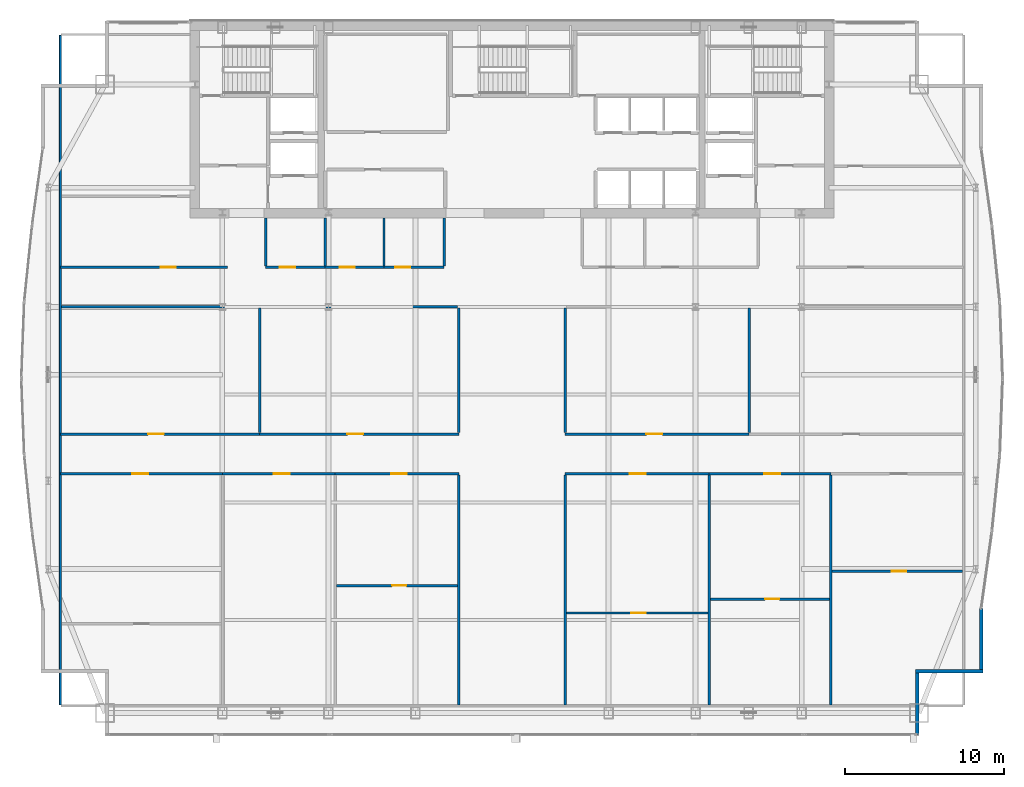
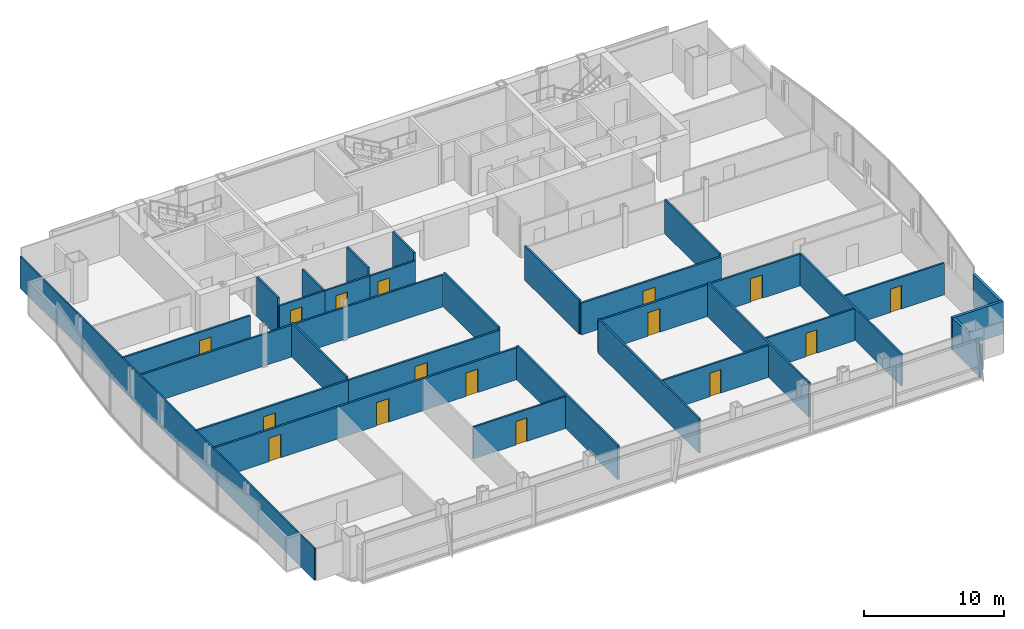
# One storey, part 27 of 32: 33 walls, 16 doors, 16 openings.
"""IFC4 building model written with IfcOpenShell, lengths in metres."""

from ifc_helpers import new_model, si_unit, direction, frame, frame_2d, origin, place, context, subcontext, project, spatial, rectangle, extrude, material, layer, layer_set, type_object, element, fill, save


model = new_model("IFC4")

# Units and contexts
model_context = context("Model", 3, precision=1e-05, world=origin(), true_north=direction((0.0, 1.0)))
body_context = subcontext(model_context, "Body", "Model", "MODEL_VIEW")
ifc_project = project(units=[si_unit("LENGTHUNIT", "METRE"), si_unit("AREAUNIT", "SQUARE_METRE"), si_unit("VOLUMEUNIT", "CUBIC_METRE"), si_unit("PLANEANGLEUNIT", "RADIAN"), si_unit("MASSUNIT", "GRAM", prefix="KILO")], contexts=[model_context])

# Site, building, storey
site_placement = place(None, origin())
site = spatial("IfcSite", under=ifc_project, at=site_placement, CompositionType="ELEMENT")
building_placement = place(site_placement, origin())
building = spatial("IfcBuilding", under=site, at=building_placement, Name="Khoronbel Lancet Exchange", CompositionType="ELEMENT")
storey_placement = place(building_placement, frame((0.0, 0.0, 228.199951171875)))
storey = spatial("IfcBuildingStorey", under=building, at=storey_placement, Name="L58", CompositionType="ELEMENT", Elevation=228.199951171875)

# Walls
ifc_material_1 = material(Name="Precast concrete C40/50", Category="concrete")
ifc_layer_1 = layer(ifc_material_1, 0.25, Name="Precast concrete C40/50")
ifc_layer_set_1 = layer_set([ifc_layer_1], Name="Precast concrete C40/50")
wall_type_1 = type_object("IfcWallType", Name="WL-EXT250", PredefinedType="SOLIDWALL", material=ifc_layer_set_1)
wall_1_placement = place(storey_placement, frame((65.9599609375, 16.726318359375, 0.0), z_axis=(0.0, 0.0, 1.0), x_axis=(0.0, -1.0, 0.0)))
element("IfcWall", 1, at=wall_1_placement, inside=storey, type_object=wall_type_1, Name="Level L58 notched-corner limestone pier 23", PredefinedType="SOLIDWALL", context=body_context, shape_type="SweptSolid", body=[
    extrude(rectangle(XDim=3.826416015625, YDim=0.219970703125, at=frame_2d((1.9130859375, 0.0))), origin(), (0.0, 0.0, 1.0), 2.830078125),
])
wall_2_placement = place(storey_placement, frame((66.070068359375, 12.7900390625, 0.0), z_axis=(0.0, 0.0, 1.0), x_axis=(-1.0, 0.0, 0.0)))
element("IfcWall", 2, at=wall_2_placement, inside=storey, type_object=wall_type_1, Name="Level L58 notched-corner limestone pier 24", PredefinedType="SOLIDWALL", context=body_context, shape_type="SweptSolid", body=[
    extrude(rectangle(XDim=4.219970703125, YDim=0.219970703125, at=frame_2d((2.10986328125, 0.0))), origin(), (0.0, 0.0, 1.0), 2.830078125),
])
wall_3_placement = place(storey_placement, frame((61.9599609375, 12.679931640625, 0.0), z_axis=(0.0, 0.0, 1.0), x_axis=(0.0, -1.0, 0.0)))
element("IfcWall", 3, at=wall_3_placement, inside=storey, type_object=wall_type_1, Name="Level L58 notched-corner limestone pier 25", PredefinedType="SOLIDWALL", context=body_context, shape_type="SweptSolid", body=[
    extrude(rectangle(XDim=3.909912109375, YDim=0.219970703125, at=frame_2d((1.955078125, 0.0))), origin(), (0.0, 0.0, 1.0), 2.830078125),
])
ifc_material_2 = material(Name="Acoustic Metal-Stud & Mineral-Wool Gypsum Partition 120 mm", Category="gypsum")
ifc_layer_2 = layer(ifc_material_2, 0.1201171875, Name="Acoustic Metal-Stud & Mineral-Wool Gypsum Partition 120 mm")
ifc_layer_set_2 = layer_set([ifc_layer_2], Name="Acoustic Metal-Stud & Mineral-Wool Gypsum Partition 120 mm")
wall_type_2 = type_object("IfcWallType", Name="WL-PRT120", PredefinedType="PARTITIONING", material=ifc_layer_set_2)
wall_4_placement = place(storey_placement, frame((20.949951171875, 38.280029296875, 0.0), z_axis=(0.0, 0.0, 1.0), x_axis=(0.0, 1.0, 0.0)))
element("IfcWall", 4, at=wall_4_placement, inside=storey, type_object=wall_type_2, Name="Level L58 interior partition PW-WC-0", PredefinedType="PARTITIONING", context=body_context, shape_type="SweptSolid", body=[
    extrude(rectangle(XDim=3.02001953125, YDim=0.14990234375, at=frame_2d((1.510009765625, 0.0))), origin(), (0.0, 0.0, 1.0), 3.43994140625),
])
wall_5_placement = place(storey_placement, frame((24.699951171875, 38.280029296875, 0.0), z_axis=(0.0, 0.0, 1.0), x_axis=(0.0, 1.0, 0.0)))
element("IfcWall", 5, at=wall_5_placement, inside=storey, type_object=wall_type_2, Name="Level L58 interior partition PW-WC-1", PredefinedType="PARTITIONING", context=body_context, shape_type="SweptSolid", body=[
    extrude(rectangle(XDim=3.02001953125, YDim=0.14990234375, at=frame_2d((1.510009765625, 0.0))), origin(), (0.0, 0.0, 1.0), 2.780029296875),
])
for number, where, z_axis, x_axis, name in (
    (6, (28.39990234375, 38.280029296875, 0.0), (0.0, 0.0, 1.0), (0.0, 1.0, 0.0), "Level L58 interior partition PW-WC-2"),
    (7, (32.179931640625, 38.280029296875, 0.0), (0.0, 0.0, 1.0), (0.0, 1.0, 0.0), "Level L58 interior partition PW-WC-3"),
):
    element("IfcWall", number, at=place(storey_placement, frame(where, z_axis=z_axis, x_axis=x_axis)), inside=storey, type_object=wall_type_2, Name=name, PredefinedType="PARTITIONING", context=body_context, shape_type="SweptSolid", body=[
        extrude(rectangle(XDim=3.02001953125, YDim=0.14990234375, at=frame_2d((1.510009765625, 0.0))), origin(), (0.0, 0.0, 1.0), 3.43994140625),
    ])

# Wall, opening, door
wall_6_placement = place(storey_placement, frame((25.40283203125, 18.165771484375, 0.0), z_axis=(0.0, 0.0, 1.0), x_axis=(1.0, 0.0, 0.0)))
wall_6 = element("IfcWall", 8, at=wall_6_placement, inside=storey, type_object=wall_type_2, Name="Level L58 interior partition PW-Z3SW-H3", PredefinedType="PARTITIONING", context=body_context, shape_type="SweptSolid", body=[
    extrude(rectangle(XDim=7.6171875, YDim=0.14990234375, at=frame_2d((3.80859375, 0.0))), origin(), (0.0, 0.0, 1.0), 2.780029296875),
])
opening_1_placement = place(wall_6_placement, frame((3.499755859375, 0.0, 0.0)))
opening_1 = element("IfcOpeningElement", 9, at=opening_1_placement, cuts=wall_6, Name="Opening D5", PredefinedType="OPENING", context=body_context, shape_type="SweptSolid", body=[
    extrude(rectangle(XDim=0.89990234375, YDim=2.050048828125, at=frame_2d((0.449951171875, 1.02490234375))), frame((0.0, 0.0849609375, 0.0), z_axis=(0.0, -1.0, 0.0), x_axis=(1.0, 0.0, 0.0)), (0.0, 0.0, 1.0), 0.169921875),
])
ifc_material_3 = material(Name="Acoustic Timber Pantry & Support Door", Category="wood")
door_type_1 = type_object("IfcDoorType", Name="DR-D5", OperationType="NOTDEFINED", PredefinedType="DOOR", material=ifc_material_3)
door_1_placement = place(opening_1_placement, origin())
door_1 = element("IfcDoor", 10, at=door_1_placement, inside=storey, type_object=door_type_1, Name="Z3SW inner door 3 L58-1", OperationType="SINGLE_SWING_LEFT", OverallHeight=2.050048828125, OverallWidth=0.89990234375, PredefinedType="DOOR", context=body_context, shape_type="SweptSolid", body=[
    extrude(rectangle(XDim=0.89990234375, YDim=2.050048828125, at=frame_2d((0.449951171875, 1.02490234375))), frame((0.0, 0.02490234375, 0.0), z_axis=(0.0, -1.0, 0.0), x_axis=(1.0, 0.0, 0.0)), (0.0, 0.0, 1.0), 0.050048828125),
])
fill(opening_1, door_1)

wall_7_placement = place(storey_placement, frame((39.8798828125, 16.43994140625, 0.0), z_axis=(0.0, 0.0, 1.0), x_axis=(1.0, 0.0, 0.0)))
wall_7 = element("IfcWall", 11, at=wall_7_placement, inside=storey, type_object=wall_type_2, Name="Level L58 interior partition PW-Z3SE-H1", PredefinedType="PARTITIONING", context=body_context, shape_type="SweptSolid", body=[
    extrude(rectangle(XDim=8.893310546875, YDim=0.14990234375, at=frame_2d((4.44677734375, 0.0))), origin(), (0.0, 0.0, 1.0), 2.780029296875),
])
opening_2_placement = place(wall_7_placement, frame((4.073974609375, 0.0, 0.0)))
opening_2 = element("IfcOpeningElement", 12, at=opening_2_placement, cuts=wall_7, Name="Opening D5", PredefinedType="OPENING", context=body_context, shape_type="SweptSolid", body=[
    extrude(rectangle(XDim=0.89990234375, YDim=2.050048828125, at=frame_2d((0.449951171875, 1.02490234375))), frame((0.0, 0.0849609375, 0.0), z_axis=(0.0, -1.0, 0.0), x_axis=(1.0, 0.0, 0.0)), (0.0, 0.0, 1.0), 0.169921875),
])
door_2_placement = place(opening_2_placement, origin())
door_2 = element("IfcDoor", 13, at=door_2_placement, inside=storey, type_object=door_type_1, Name="Z3SE inner door 1 L58-1", OperationType="SINGLE_SWING_LEFT", OverallHeight=2.050048828125, OverallWidth=0.89990234375, PredefinedType="DOOR", context=body_context, shape_type="SweptSolid", body=[
    extrude(rectangle(XDim=0.89990234375, YDim=2.050048828125, at=frame_2d((0.449951171875, 1.02490234375))), frame((0.0, 0.02490234375, 0.0), z_axis=(0.0, -1.0, 0.0), x_axis=(1.0, 0.0, 0.0)), (0.0, 0.0, 1.0), 0.050048828125),
])
fill(opening_2, door_2)

wall_8_placement = place(storey_placement, frame((48.93310546875, 17.31591796875, 0.0), z_axis=(0.0, 0.0, 1.0), x_axis=(1.0, 0.0, 0.0)))
wall_8 = element("IfcWall", 14, at=wall_8_placement, inside=storey, type_object=wall_type_2, Name="Level L58 interior partition PW-Z3SE-H2", PredefinedType="PARTITIONING", context=body_context, shape_type="SweptSolid", body=[
    extrude(rectangle(XDim=7.500244140625, YDim=0.14990234375, at=frame_2d((3.75, 0.0))), origin(), (0.0, 0.0, 1.0), 2.780029296875),
])
opening_3_placement = place(wall_8_placement, frame((3.447021484375, 0.0, 0.0)))
opening_3 = element("IfcOpeningElement", 15, at=opening_3_placement, cuts=wall_8, Name="Opening D5", PredefinedType="OPENING", context=body_context, shape_type="SweptSolid", body=[
    extrude(rectangle(XDim=0.89990234375, YDim=2.050048828125, at=frame_2d((0.449951171875, 1.02490234375))), frame((0.0, 0.0849609375, 0.0), z_axis=(0.0, -1.0, 0.0), x_axis=(1.0, 0.0, 0.0)), (0.0, 0.0, 1.0), 0.169921875),
])
door_3_placement = place(opening_3_placement, origin())
door_3 = element("IfcDoor", 16, at=door_3_placement, inside=storey, type_object=door_type_1, Name="Z3SE inner door 2 L58-1", OperationType="SINGLE_SWING_LEFT", OverallHeight=2.050048828125, OverallWidth=0.89990234375, PredefinedType="DOOR", context=body_context, shape_type="SweptSolid", body=[
    extrude(rectangle(XDim=0.89990234375, YDim=2.050048828125, at=frame_2d((0.449951171875, 1.02490234375))), frame((0.0, 0.02490234375, 0.0), z_axis=(0.0, -1.0, 0.0), x_axis=(1.0, 0.0, 0.0)), (0.0, 0.0, 1.0), 0.050048828125),
])
fill(opening_3, door_3)

wall_9_placement = place(storey_placement, frame((56.59326171875, 19.068115234375, 0.0), z_axis=(0.0, 0.0, 1.0), x_axis=(1.0, 0.0, 0.0)))
wall_9 = element("IfcWall", 17, at=wall_9_placement, inside=storey, type_object=wall_type_2, Name="Level L58 interior partition PW-Z3SE-H3", PredefinedType="PARTITIONING", context=body_context, shape_type="SweptSolid", body=[
    extrude(rectangle(XDim=8.211669921875, YDim=0.14990234375, at=frame_2d((4.10595703125, 0.0))), origin(), (0.0, 0.0, 1.0), 2.780029296875),
])
opening_4_placement = place(wall_9_placement, frame((3.760498046875, 0.0, 0.0)))
opening_4 = element("IfcOpeningElement", 18, at=opening_4_placement, cuts=wall_9, Name="Opening D5", PredefinedType="OPENING", context=body_context, shape_type="SweptSolid", body=[
    extrude(rectangle(XDim=0.89990234375, YDim=2.050048828125, at=frame_2d((0.449951171875, 1.02490234375))), frame((0.0, 0.0849609375, 0.0), z_axis=(0.0, -1.0, 0.0), x_axis=(1.0, 0.0, 0.0)), (0.0, 0.0, 1.0), 0.169921875),
])
door_4_placement = place(opening_4_placement, origin())
door_4 = element("IfcDoor", 19, at=door_4_placement, inside=storey, type_object=door_type_1, Name="Z3SE inner door 3 L58-1", OperationType="SINGLE_SWING_LEFT", OverallHeight=2.050048828125, OverallWidth=0.89990234375, PredefinedType="DOOR", context=body_context, shape_type="SweptSolid", body=[
    extrude(rectangle(XDim=0.89990234375, YDim=2.050048828125, at=frame_2d((0.449951171875, 1.02490234375))), frame((0.0, 0.02490234375, 0.0), z_axis=(0.0, -1.0, 0.0), x_axis=(1.0, 0.0, 0.0)), (0.0, 0.0, 1.0), 0.050048828125),
])
fill(opening_4, door_4)

# Wall
wall_10_placement = place(storey_placement, frame((8.030029296875, 10.6650390625, 0.0), z_axis=(0.0, 0.0, 1.0), x_axis=(0.0, 1.0, 0.0)))
element("IfcWall", 20, at=wall_10_placement, inside=storey, type_object=wall_type_2, Name="Level L58 interior partition PW-LIN-W", PredefinedType="PARTITIONING", context=body_context, shape_type="SweptSolid", body=[
    extrude(rectangle(XDim=42.10986328125, YDim=0.1201171875, at=frame_2d((21.054931640625, 0.0))), origin(), (0.0, 0.0, 1.0), 2.780029296875),
])

# Wall, opening, door
ifc_material_4 = material(Name="Fire-Rated Twin-Stud Acoustic Gypsum Partition 150 mm", Category="gypsum")
ifc_layer_3 = layer(ifc_material_4, 0.14990234375, Name="Fire-Rated Twin-Stud Acoustic Gypsum Partition 150 mm")
ifc_layer_set_3 = layer_set([ifc_layer_3], Name="Fire-Rated Twin-Stud Acoustic Gypsum Partition 150 mm")
wall_type_3 = type_object("IfcWallType", Name="WL-PRT150C", PredefinedType="PARTITIONING", material=ifc_layer_set_3)
wall_11_placement = place(storey_placement, frame((20.949951171875, 38.199951171875, 0.0), z_axis=(0.0, 0.0, 1.0), x_axis=(1.0, 0.0, 0.0)))
wall_11 = element("IfcWall", 21, at=wall_11_placement, inside=storey, type_object=wall_type_3, Name="Level L58 interior partition PW-WC-S1", PredefinedType="PARTITIONING", context=body_context, shape_type="SweptSolid", body=[
    extrude(rectangle(XDim=3.75, YDim=0.14990234375, at=frame_2d((1.875, 0.0))), origin(), (0.0, 0.0, 1.0), 2.780029296875),
])
opening_5_placement = place(wall_11_placement, frame((0.89990234375, 0.0, 0.0)))
opening_5 = element("IfcOpeningElement", 22, at=opening_5_placement, cuts=wall_11, Name="Opening D4", PredefinedType="OPENING", context=body_context, shape_type="SweptSolid", body=[
    extrude(rectangle(XDim=0.949951171875, YDim=2.050048828125, at=frame_2d((0.47509765625, 1.02490234375))), frame((0.0, 0.0849609375, 0.0), z_axis=(0.0, -1.0, 0.0), x_axis=(1.0, 0.0, 0.0)), (0.0, 0.0, 1.0), 0.169921875),
])
ifc_material_5 = material(Name="Moisture-Resistant HPL Washroom Door", Category="wood")
door_type_2 = type_object("IfcDoorType", Name="DR-D4", OperationType="NOTDEFINED", PredefinedType="DOOR", material=ifc_material_5)
door_5_placement = place(opening_5_placement, origin())
door_5 = element("IfcDoor", 23, at=door_5_placement, inside=storey, type_object=door_type_2, Name="Male washroom door L58-1", OperationType="SINGLE_SWING_RIGHT", OverallHeight=2.050048828125, OverallWidth=0.949951171875, PredefinedType="DOOR", context=body_context, shape_type="SweptSolid", body=[
    extrude(rectangle(XDim=0.949951171875, YDim=2.050048828125, at=frame_2d((0.47509765625, 1.02490234375))), frame((0.0, 0.02490234375, 0.0), z_axis=(0.0, -1.0, 0.0), x_axis=(1.0, 0.0, 0.0)), (0.0, 0.0, 1.0), 0.050048828125),
])
fill(opening_5, door_5)

wall_12_placement = place(storey_placement, frame((24.699951171875, 38.199951171875, 0.0), z_axis=(0.0, 0.0, 1.0), x_axis=(1.0, 0.0, 0.0)))
wall_12 = element("IfcWall", 24, at=wall_12_placement, inside=storey, type_object=wall_type_3, Name="Level L58 interior partition PW-WC-S2", PredefinedType="PARTITIONING", context=body_context, shape_type="SweptSolid", body=[
    extrude(rectangle(XDim=3.699951171875, YDim=0.14990234375, at=frame_2d((1.85009765625, 0.0))), origin(), (0.0, 0.0, 1.0), 2.780029296875),
])
opening_6_placement = place(wall_12_placement, frame((0.89990234375, 0.0, 0.0)))
opening_6 = element("IfcOpeningElement", 25, at=opening_6_placement, cuts=wall_12, Name="Opening D4", PredefinedType="OPENING", context=body_context, shape_type="SweptSolid", body=[
    extrude(rectangle(XDim=0.949951171875, YDim=2.050048828125, at=frame_2d((0.47509765625, 1.02490234375))), frame((0.0, 0.0849609375, 0.0), z_axis=(0.0, -1.0, 0.0), x_axis=(1.0, 0.0, 0.0)), (0.0, 0.0, 1.0), 0.169921875),
])
door_6_placement = place(opening_6_placement, origin())
door_6 = element("IfcDoor", 26, at=door_6_placement, inside=storey, type_object=door_type_2, Name="Female washroom door L58-1", OperationType="SINGLE_SWING_LEFT", OverallHeight=2.050048828125, OverallWidth=0.949951171875, PredefinedType="DOOR", context=body_context, shape_type="SweptSolid", body=[
    extrude(rectangle(XDim=0.949951171875, YDim=2.050048828125, at=frame_2d((0.47509765625, 1.02490234375))), frame((0.0, 0.02490234375, 0.0), z_axis=(0.0, -1.0, 0.0), x_axis=(1.0, 0.0, 0.0)), (0.0, 0.0, 1.0), 0.050048828125),
])
fill(opening_6, door_6)

wall_13_placement = place(storey_placement, frame((28.39990234375, 38.199951171875, 0.0), z_axis=(0.0, 0.0, 1.0), x_axis=(1.0, 0.0, 0.0)))
wall_13 = element("IfcWall", 27, at=wall_13_placement, inside=storey, type_object=wall_type_3, Name="Level L58 interior partition PW-WC-S3", PredefinedType="PARTITIONING", context=body_context, shape_type="SweptSolid", body=[
    extrude(rectangle(XDim=3.780029296875, YDim=0.14990234375, at=frame_2d((1.89013671875, 0.0))), origin(), (0.0, 0.0, 1.0), 2.780029296875),
])
opening_7_placement = place(wall_13_placement, frame((0.699951171875, 0.0, 0.0)))
opening_7 = element("IfcOpeningElement", 28, at=opening_7_placement, cuts=wall_13, Name="Opening D4", PredefinedType="OPENING", context=body_context, shape_type="SweptSolid", body=[
    extrude(rectangle(XDim=0.949951171875, YDim=2.050048828125, at=frame_2d((0.47509765625, 1.02490234375))), frame((0.0, 0.0849609375, 0.0), z_axis=(0.0, -1.0, 0.0), x_axis=(1.0, 0.0, 0.0)), (0.0, 0.0, 1.0), 0.169921875),
])
door_7_placement = place(opening_7_placement, origin())
door_7 = element("IfcDoor", 29, at=door_7_placement, inside=storey, type_object=door_type_2, Name="Accessible WC door L58-1", OperationType="SINGLE_SWING_RIGHT", OverallHeight=2.050048828125, OverallWidth=0.949951171875, PredefinedType="DOOR", context=body_context, shape_type="SweptSolid", body=[
    extrude(rectangle(XDim=0.949951171875, YDim=2.050048828125, at=frame_2d((0.47509765625, 1.02490234375))), frame((0.0, 0.02490234375, 0.0), z_axis=(0.0, -1.0, 0.0), x_axis=(1.0, 0.0, 0.0)), (0.0, 0.0, 1.0), 0.050048828125),
])
fill(opening_7, door_7)

wall_14_placement = place(storey_placement, frame((8.030029296875, 38.199951171875, 0.0), z_axis=(0.0, 0.0, 1.0), x_axis=(1.0, 0.0, 0.0)))
wall_14 = element("IfcWall", 30, at=wall_14_placement, inside=storey, type_object=wall_type_3, Name="Level L58 interior partition PW-NW-S", PredefinedType="PARTITIONING", context=body_context, shape_type="SweptSolid", body=[
    extrude(rectangle(XDim=10.52001953125, YDim=0.14990234375, at=frame_2d((5.260009765625, 0.0))), origin(), (0.0, 0.0, 1.0), 2.780029296875),
])
opening_8_placement = place(wall_14_placement, frame((6.320068359375, 0.0, 0.0)))
opening_8 = element("IfcOpeningElement", 31, at=opening_8_placement, cuts=wall_14, Name="Opening D1", PredefinedType="OPENING", context=body_context, shape_type="SweptSolid", body=[
    extrude(rectangle(XDim=0.949951171875, YDim=2.050048828125, at=frame_2d((0.47509765625, 1.02490234375))), frame((0.0, 0.0849609375, 0.0), z_axis=(0.0, -1.0, 0.0), x_axis=(1.0, 0.0, 0.0)), (0.0, 0.0, 1.0), 0.169921875),
])
ifc_material_6 = material(Name="Acoustic Veneered Timber & Bronze Frame Door", Category="wood")
door_type_3 = type_object("IfcDoorType", Name="DR-D1", OperationType="NOTDEFINED", PredefinedType="DOOR", material=ifc_material_6)
door_8_placement = place(opening_8_placement, origin())
door_8 = element("IfcDoor", 32, at=door_8_placement, inside=storey, type_object=door_type_3, Name="NW corner room door L58-1", OperationType="SINGLE_SWING_LEFT", OverallHeight=2.050048828125, OverallWidth=0.949951171875, PredefinedType="DOOR", context=body_context, shape_type="SweptSolid", body=[
    extrude(rectangle(XDim=0.949951171875, YDim=2.050048828125, at=frame_2d((0.47509765625, 1.02490234375))), frame((0.0, 0.02490234375, 0.0), z_axis=(0.0, -1.0, 0.0), x_axis=(1.0, 0.0, 0.0)), (0.0, 0.0, 1.0), 0.050048828125),
])
fill(opening_8, door_8)

# Walls
for number, where, z_axis, x_axis, name in (
    (33, (33.10009765625, 10.6650390625, 0.0), (0.0, 0.0, 1.0), (0.0, 1.0, 0.0), "Level L58 interior partition PW-Z3-CW1"),
    (34, (39.800048828125, 10.6650390625, 0.0), (0.0, 0.0, 1.0), (0.0, 1.0, 0.0), "Level L58 interior partition PW-Z3-CE1"),
):
    element("IfcWall", number, at=place(storey_placement, frame(where, z_axis=z_axis, x_axis=x_axis)), inside=storey, type_object=wall_type_3, Name=name, PredefinedType="PARTITIONING", context=body_context, shape_type="SweptSolid", body=[
        extrude(rectangle(XDim=14.449951171875, YDim=0.14990234375, at=frame_2d((7.22509765625, 0.0))), origin(), (0.0, 0.0, 1.0), 2.97998046875),
    ])
for number, where, z_axis, x_axis, name in (
    (35, (33.10009765625, 27.784912109375, 0.0), (0.0, 0.0, 1.0), (0.0, 1.0, 0.0), "Level L58 interior partition PW-Z3-CW2"),
    (36, (39.800048828125, 27.784912109375, 0.0), (0.0, 0.0, 1.0), (0.0, 1.0, 0.0), "Level L58 interior partition PW-Z3-CE2"),
):
    element("IfcWall", number, at=place(storey_placement, frame(where, z_axis=z_axis, x_axis=x_axis)), inside=storey, type_object=wall_type_3, Name=name, PredefinedType="PARTITIONING", context=body_context, shape_type="SweptSolid", body=[
        extrude(rectangle(XDim=7.835205078125, YDim=0.14990234375, at=frame_2d((3.91748046875, 0.0))), origin(), (0.0, 0.0, 1.0), 2.97998046875),
    ])
wall_15_placement = place(storey_placement, frame((8.094970703125, 35.699951171875, 0.0), z_axis=(0.0, 0.0, 1.0), x_axis=(1.0, 0.0, 0.0)))
element("IfcWall", 37, at=wall_15_placement, inside=storey, type_object=wall_type_3, Name="Level L58 interior partition PW-Z3-WN", PredefinedType="PARTITIONING", context=body_context, shape_type="SweptSolid", body=[
    extrude(rectangle(XDim=24.925048828125, YDim=0.14990234375, at=frame_2d((12.46240234375, 0.0))), origin(), (0.0, 0.0, 1.0), 2.780029296875),
])
wall_16_placement = place(storey_placement, frame((48.85302734375, 10.6650390625, 0.0), z_axis=(0.0, 0.0, 1.0), x_axis=(0.0, 1.0, 0.0)))
element("IfcWall", 38, at=wall_16_placement, inside=storey, type_object=wall_type_3, Name="Level L58 interior partition PW-Z3SE-V1", PredefinedType="PARTITIONING", context=body_context, shape_type="SweptSolid", body=[
    extrude(rectangle(XDim=14.449951171875, YDim=0.14990234375, at=frame_2d((7.22509765625, 0.0))), origin(), (0.0, 0.0, 1.0), 2.97998046875),
])
wall_17_placement = place(storey_placement, frame((56.51318359375, 10.6650390625, 0.0), z_axis=(0.0, 0.0, 1.0), x_axis=(0.0, 1.0, 0.0)))
element("IfcWall", 39, at=wall_17_placement, inside=storey, type_object=wall_type_3, Name="Level L58 interior partition PW-Z3SE-V2", PredefinedType="PARTITIONING", context=body_context, shape_type="SweptSolid", body=[
    extrude(rectangle(XDim=14.449951171875, YDim=0.14990234375, at=frame_2d((7.22509765625, 0.0))), origin(), (0.0, 0.0, 1.0), 2.780029296875),
])
for number, where, z_axis, x_axis, name in (
    (40, (20.5771484375, 27.784912109375, 0.0), (0.0, 0.0, 1.0), (0.0, 1.0, 0.0), "Level L58 interior partition PW-Z3NW-V1"),
    (41, (51.370849609375, 27.784912109375, 0.0), (0.0, 0.0, 1.0), (0.0, 1.0, 0.0), "Level L58 interior partition PW-Z3NE-V1"),
):
    element("IfcWall", number, at=place(storey_placement, frame(where, z_axis=z_axis, x_axis=x_axis)), inside=storey, type_object=wall_type_3, Name=name, PredefinedType="PARTITIONING", context=body_context, shape_type="SweptSolid", body=[
        extrude(rectangle(XDim=7.835205078125, YDim=0.14990234375, at=frame_2d((3.91748046875, 0.0))), origin(), (0.0, 0.0, 1.0), 2.97998046875),
    ])

# Wall, opening, door
ifc_material_7 = material(Name="Fire-Rated Twin-Stud Acoustic Gypsum Partition 160 mm", Category="gypsum")
ifc_layer_4 = layer(ifc_material_7, 0.159912109375, Name="Fire-Rated Twin-Stud Acoustic Gypsum Partition 160 mm")
ifc_layer_set_4 = layer_set([ifc_layer_4], Name="Fire-Rated Twin-Stud Acoustic Gypsum Partition 160 mm")
wall_type_4 = type_object("IfcWallType", Name="WL-PRT160C", PredefinedType="PARTITIONING", material=ifc_layer_set_4)
wall_18_placement = place(storey_placement, frame((8.030029296875, 25.199951171875, 0.0), z_axis=(0.0, 0.0, 1.0), x_axis=(1.0, 0.0, 0.0)))
wall_18 = element("IfcWall", 42, at=wall_18_placement, inside=storey, type_object=wall_type_4, Name="Level L58 interior partition PW-Z3SW-COR1", PredefinedType="PARTITIONING", context=body_context, shape_type="SweptSolid", body=[
    extrude(rectangle(XDim=10.2109375, YDim=0.159912109375, at=frame_2d((5.10546875, 0.0))), origin(), (0.0, 0.0, 1.0), 2.780029296875),
])
opening_9_placement = place(wall_18_placement, frame((4.53857421875, 0.0, 0.0)))
opening_9 = element("IfcOpeningElement", 43, at=opening_9_placement, cuts=wall_18, Name="Opening D2", PredefinedType="OPENING", context=body_context, shape_type="SweptSolid", body=[
    extrude(rectangle(XDim=1.0, YDim=2.050048828125, at=frame_2d((0.5, 1.02490234375))), frame((0.0, 0.08984375, 0.0), z_axis=(0.0, -1.0, 0.0), x_axis=(1.0, 0.0, 0.0)), (0.0, 0.0, 1.0), 0.179931640625),
])
door_type_4 = type_object("IfcDoorType", Name="DR-D2", OperationType="NOTDEFINED", PredefinedType="DOOR", material=ifc_material_6)
door_9_placement = place(opening_9_placement, origin())
door_9 = element("IfcDoor", 44, at=door_9_placement, inside=storey, type_object=door_type_4, Name="Z3SW bay 1 door L58-1", OperationType="SINGLE_SWING_LEFT", OverallHeight=2.050048828125, OverallWidth=1.0, PredefinedType="DOOR", context=body_context, shape_type="SweptSolid", body=[
    extrude(rectangle(XDim=1.0, YDim=2.050048828125, at=frame_2d((0.5, 1.02490234375))), frame((0.0, 0.02490234375, 0.0), z_axis=(0.0, -1.0, 0.0), x_axis=(1.0, 0.0, 0.0)), (0.0, 0.0, 1.0), 0.050048828125),
])
fill(opening_9, door_9)

wall_19_placement = place(storey_placement, frame((18.240966796875, 25.199951171875, 0.0), z_axis=(0.0, 0.0, 1.0), x_axis=(1.0, 0.0, 0.0)))
wall_19 = element("IfcWall", 45, at=wall_19_placement, inside=storey, type_object=wall_type_4, Name="Level L58 interior partition PW-Z3SW-COR2", PredefinedType="PARTITIONING", context=body_context, shape_type="SweptSolid", body=[
    extrude(rectangle(XDim=7.081787109375, YDim=0.159912109375, at=frame_2d((3.541015625, 0.0))), origin(), (0.0, 0.0, 1.0), 2.780029296875),
])
opening_10_placement = place(wall_19_placement, frame((3.224365234375, 0.0, 0.0)))
opening_10 = element("IfcOpeningElement", 46, at=opening_10_placement, cuts=wall_19, Name="Opening D2", PredefinedType="OPENING", context=body_context, shape_type="SweptSolid", body=[
    extrude(rectangle(XDim=1.0, YDim=2.050048828125, at=frame_2d((0.5, 1.02490234375))), frame((0.0, 0.08984375, 0.0), z_axis=(0.0, -1.0, 0.0), x_axis=(1.0, 0.0, 0.0)), (0.0, 0.0, 1.0), 0.179931640625),
])
door_10_placement = place(opening_10_placement, origin())
door_10 = element("IfcDoor", 47, at=door_10_placement, inside=storey, type_object=door_type_4, Name="Z3SW bay 2 door L58-1", OperationType="SINGLE_SWING_LEFT", OverallHeight=2.050048828125, OverallWidth=1.0, PredefinedType="DOOR", context=body_context, shape_type="SweptSolid", body=[
    extrude(rectangle(XDim=1.0, YDim=2.050048828125, at=frame_2d((0.5, 1.02490234375))), frame((0.0, 0.02490234375, 0.0), z_axis=(0.0, -1.0, 0.0), x_axis=(1.0, 0.0, 0.0)), (0.0, 0.0, 1.0), 0.050048828125),
])
fill(opening_10, door_10)

wall_20_placement = place(storey_placement, frame((25.32275390625, 25.199951171875, 0.0), z_axis=(0.0, 0.0, 1.0), x_axis=(1.0, 0.0, 0.0)))
wall_20 = element("IfcWall", 48, at=wall_20_placement, inside=storey, type_object=wall_type_4, Name="Level L58 interior partition PW-Z3SW-COR3", PredefinedType="PARTITIONING", context=body_context, shape_type="SweptSolid", body=[
    extrude(rectangle(XDim=7.77734375, YDim=0.159912109375, at=frame_2d((3.888671875, 0.0))), origin(), (0.0, 0.0, 1.0), 2.780029296875),
])
opening_11_placement = place(wall_20_placement, frame((3.516357421875, 0.0, 0.0)))
opening_11 = element("IfcOpeningElement", 49, at=opening_11_placement, cuts=wall_20, Name="Opening D2", PredefinedType="OPENING", context=body_context, shape_type="SweptSolid", body=[
    extrude(rectangle(XDim=1.0, YDim=2.050048828125, at=frame_2d((0.5, 1.02490234375))), frame((0.0, 0.08984375, 0.0), z_axis=(0.0, -1.0, 0.0), x_axis=(1.0, 0.0, 0.0)), (0.0, 0.0, 1.0), 0.179931640625),
])
door_11_placement = place(opening_11_placement, origin())
door_11 = element("IfcDoor", 50, at=door_11_placement, inside=storey, type_object=door_type_4, Name="Z3SW bay 3 door L58-1", OperationType="SINGLE_SWING_RIGHT", OverallHeight=2.050048828125, OverallWidth=1.0, PredefinedType="DOOR", context=body_context, shape_type="SweptSolid", body=[
    extrude(rectangle(XDim=1.0, YDim=2.050048828125, at=frame_2d((0.5, 1.02490234375))), frame((0.0, 0.02490234375, 0.0), z_axis=(0.0, -1.0, 0.0), x_axis=(1.0, 0.0, 0.0)), (0.0, 0.0, 1.0), 0.050048828125),
])
fill(opening_11, door_11)

wall_21_placement = place(storey_placement, frame((39.800048828125, 25.199951171875, 0.0), z_axis=(0.0, 0.0, 1.0), x_axis=(1.0, 0.0, 0.0)))
wall_21 = element("IfcWall", 51, at=wall_21_placement, inside=storey, type_object=wall_type_4, Name="Level L58 interior partition PW-Z3SE-COR1", PredefinedType="PARTITIONING", context=body_context, shape_type="SweptSolid", body=[
    extrude(rectangle(XDim=9.052978515625, YDim=0.159912109375, at=frame_2d((4.5263671875, 0.0))), origin(), (0.0, 0.0, 1.0), 2.780029296875),
])
opening_12_placement = place(wall_21_placement, frame((4.05224609375, 0.0, 0.0)))
opening_12 = element("IfcOpeningElement", 52, at=opening_12_placement, cuts=wall_21, Name="Opening D2", PredefinedType="OPENING", context=body_context, shape_type="SweptSolid", body=[
    extrude(rectangle(XDim=1.0, YDim=2.050048828125, at=frame_2d((0.5, 1.02490234375))), frame((0.0, 0.08984375, 0.0), z_axis=(0.0, -1.0, 0.0), x_axis=(1.0, 0.0, 0.0)), (0.0, 0.0, 1.0), 0.179931640625),
])
door_12_placement = place(opening_12_placement, origin())
door_12 = element("IfcDoor", 53, at=door_12_placement, inside=storey, type_object=door_type_4, Name="Z3SE bay 1 door L58-1", OperationType="SINGLE_SWING_RIGHT", OverallHeight=2.050048828125, OverallWidth=1.0, PredefinedType="DOOR", context=body_context, shape_type="SweptSolid", body=[
    extrude(rectangle(XDim=1.0, YDim=2.050048828125, at=frame_2d((0.5, 1.02490234375))), frame((0.0, 0.02490234375, 0.0), z_axis=(0.0, -1.0, 0.0), x_axis=(1.0, 0.0, 0.0)), (0.0, 0.0, 1.0), 0.050048828125),
])
fill(opening_12, door_12)

wall_22_placement = place(storey_placement, frame((48.85302734375, 25.199951171875, 0.0), z_axis=(0.0, 0.0, 1.0), x_axis=(1.0, 0.0, 0.0)))
wall_22 = element("IfcWall", 54, at=wall_22_placement, inside=storey, type_object=wall_type_4, Name="Level L58 interior partition PW-Z3SE-COR2", PredefinedType="PARTITIONING", context=body_context, shape_type="SweptSolid", body=[
    extrude(rectangle(XDim=7.66015625, YDim=0.159912109375, at=frame_2d((3.830078125, 0.0))), origin(), (0.0, 0.0, 1.0), 2.780029296875),
])
opening_13_placement = place(wall_22_placement, frame((3.46728515625, 0.0, 0.0)))
opening_13 = element("IfcOpeningElement", 55, at=opening_13_placement, cuts=wall_22, Name="Opening D2", PredefinedType="OPENING", context=body_context, shape_type="SweptSolid", body=[
    extrude(rectangle(XDim=1.0, YDim=2.050048828125, at=frame_2d((0.5, 1.02490234375))), frame((0.0, 0.08984375, 0.0), z_axis=(0.0, -1.0, 0.0), x_axis=(1.0, 0.0, 0.0)), (0.0, 0.0, 1.0), 0.179931640625),
])
door_13_placement = place(opening_13_placement, origin())
door_13 = element("IfcDoor", 56, at=door_13_placement, inside=storey, type_object=door_type_4, Name="Z3SE bay 2 door L58-1", OperationType="SINGLE_SWING_RIGHT", OverallHeight=2.050048828125, OverallWidth=1.0, PredefinedType="DOOR", context=body_context, shape_type="SweptSolid", body=[
    extrude(rectangle(XDim=1.0, YDim=2.050048828125, at=frame_2d((0.5, 1.02490234375))), frame((0.0, 0.02490234375, 0.0), z_axis=(0.0, -1.0, 0.0), x_axis=(1.0, 0.0, 0.0)), (0.0, 0.0, 1.0), 0.050048828125),
])
fill(opening_13, door_13)

wall_23_placement = place(storey_placement, frame((8.030029296875, 27.699951171875, 0.0), z_axis=(0.0, 0.0, 1.0), x_axis=(1.0, 0.0, 0.0)))
wall_23 = element("IfcWall", 57, at=wall_23_placement, inside=storey, type_object=wall_type_4, Name="Level L58 interior partition PW-Z3NW-COR1", PredefinedType="PARTITIONING", context=body_context, shape_type="SweptSolid", body=[
    extrude(rectangle(XDim=12.547119140625, YDim=0.159912109375, at=frame_2d((6.2734375, 0.0))), origin(), (0.0, 0.0, 1.0), 2.780029296875),
])
opening_14_placement = place(wall_23_placement, frame((5.519775390625, 0.0, 0.0)))
opening_14 = element("IfcOpeningElement", 58, at=opening_14_placement, cuts=wall_23, Name="Opening D2", PredefinedType="OPENING", context=body_context, shape_type="SweptSolid", body=[
    extrude(rectangle(XDim=1.0, YDim=2.050048828125, at=frame_2d((0.5, 1.02490234375))), frame((0.0, 0.08984375, 0.0), z_axis=(0.0, -1.0, 0.0), x_axis=(1.0, 0.0, 0.0)), (0.0, 0.0, 1.0), 0.179931640625),
])
door_14_placement = place(opening_14_placement, origin())
door_14 = element("IfcDoor", 59, at=door_14_placement, inside=storey, type_object=door_type_4, Name="Z3NW bay 1 door L58-1", OperationType="SINGLE_SWING_RIGHT", OverallHeight=2.050048828125, OverallWidth=1.0, PredefinedType="DOOR", context=body_context, shape_type="SweptSolid", body=[
    extrude(rectangle(XDim=1.0, YDim=2.050048828125, at=frame_2d((0.5, 1.02490234375))), frame((0.0, 0.02490234375, 0.0), z_axis=(0.0, -1.0, 0.0), x_axis=(1.0, 0.0, 0.0)), (0.0, 0.0, 1.0), 0.050048828125),
])
fill(opening_14, door_14)

wall_24_placement = place(storey_placement, frame((20.5771484375, 27.699951171875, 0.0), z_axis=(0.0, 0.0, 1.0), x_axis=(1.0, 0.0, 0.0)))
wall_24 = element("IfcWall", 60, at=wall_24_placement, inside=storey, type_object=wall_type_4, Name="Level L58 interior partition PW-Z3NW-COR2", PredefinedType="PARTITIONING", context=body_context, shape_type="SweptSolid", body=[
    extrude(rectangle(XDim=12.52294921875, YDim=0.159912109375, at=frame_2d((6.261474609375, 0.0))), origin(), (0.0, 0.0, 1.0), 2.780029296875),
])
opening_15_placement = place(wall_24_placement, frame((5.509521484375, 0.0, 0.0)))
opening_15 = element("IfcOpeningElement", 61, at=opening_15_placement, cuts=wall_24, Name="Opening D2", PredefinedType="OPENING", context=body_context, shape_type="SweptSolid", body=[
    extrude(rectangle(XDim=1.0, YDim=2.050048828125, at=frame_2d((0.5, 1.02490234375))), frame((0.0, 0.08984375, 0.0), z_axis=(0.0, -1.0, 0.0), x_axis=(1.0, 0.0, 0.0)), (0.0, 0.0, 1.0), 0.179931640625),
])
door_15_placement = place(opening_15_placement, origin())
door_15 = element("IfcDoor", 62, at=door_15_placement, inside=storey, type_object=door_type_4, Name="Z3NW bay 2 door L58-1", OperationType="SINGLE_SWING_LEFT", OverallHeight=2.050048828125, OverallWidth=1.0, PredefinedType="DOOR", context=body_context, shape_type="SweptSolid", body=[
    extrude(rectangle(XDim=1.0, YDim=2.050048828125, at=frame_2d((0.5, 1.02490234375))), frame((0.0, 0.02490234375, 0.0), z_axis=(0.0, -1.0, 0.0), x_axis=(1.0, 0.0, 0.0)), (0.0, 0.0, 1.0), 0.050048828125),
])
fill(opening_15, door_15)

wall_25_placement = place(storey_placement, frame((39.800048828125, 27.699951171875, 0.0), z_axis=(0.0, 0.0, 1.0), x_axis=(1.0, 0.0, 0.0)))
wall_25 = element("IfcWall", 63, at=wall_25_placement, inside=storey, type_object=wall_type_4, Name="Level L58 interior partition PW-Z3NE-COR1", PredefinedType="PARTITIONING", context=body_context, shape_type="SweptSolid", body=[
    extrude(rectangle(XDim=11.57080078125, YDim=0.159912109375, at=frame_2d((5.785400390625, 0.0))), origin(), (0.0, 0.0, 1.0), 2.780029296875),
])
opening_16_placement = place(wall_25_placement, frame((5.109619140625, 0.0, 0.0)))
opening_16 = element("IfcOpeningElement", 64, at=opening_16_placement, cuts=wall_25, Name="Opening D2", PredefinedType="OPENING", context=body_context, shape_type="SweptSolid", body=[
    extrude(rectangle(XDim=1.0, YDim=2.050048828125, at=frame_2d((0.5, 1.02490234375))), frame((0.0, 0.08984375, 0.0), z_axis=(0.0, -1.0, 0.0), x_axis=(1.0, 0.0, 0.0)), (0.0, 0.0, 1.0), 0.179931640625),
])
door_16_placement = place(opening_16_placement, origin())
door_16 = element("IfcDoor", 65, at=door_16_placement, inside=storey, type_object=door_type_4, Name="Z3NE bay 1 door L58-1", OperationType="SINGLE_SWING_RIGHT", OverallHeight=2.050048828125, OverallWidth=1.0, PredefinedType="DOOR", context=body_context, shape_type="SweptSolid", body=[
    extrude(rectangle(XDim=1.0, YDim=2.050048828125, at=frame_2d((0.5, 1.02490234375))), frame((0.0, 0.02490234375, 0.0), z_axis=(0.0, -1.0, 0.0), x_axis=(1.0, 0.0, 0.0)), (0.0, 0.0, 1.0), 0.050048828125),
])
fill(opening_16, door_16)

save(model, "model.ifc")
